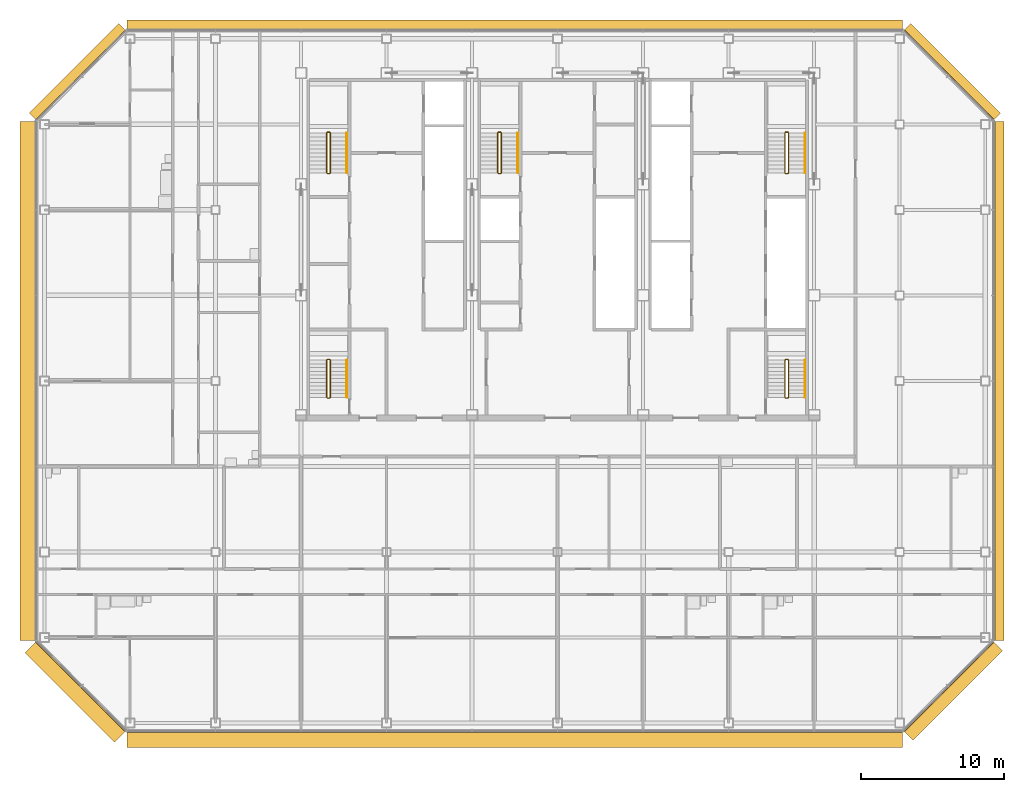
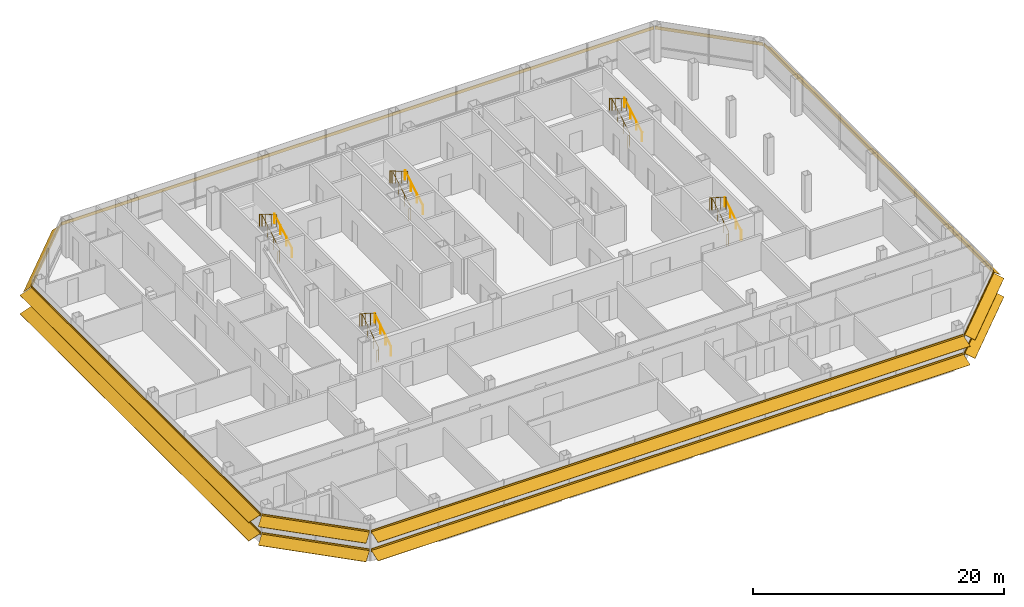
# One storey, part 26 of 27: 10 railings, 8 shading devices.
"""IFC4 building model written with IfcOpenShell, lengths in metres."""

from ifc_helpers import new_model, si_unit, direction, frame, origin, origin_2d, place, context, subcontext, project, spatial, polyline, circle, outline, composite_profile, extrude, material, type_object, element, save


model = new_model("IFC4")

# Units and contexts
model_context = context("Model", 3, precision=1e-05, world=origin(), true_north=direction((0.0, 1.0)))
body_context = subcontext(model_context, "Body", "Model", "MODEL_VIEW")
ifc_project = project(units=[si_unit("LENGTHUNIT", "METRE"), si_unit("AREAUNIT", "SQUARE_METRE"), si_unit("VOLUMEUNIT", "CUBIC_METRE"), si_unit("PLANEANGLEUNIT", "RADIAN"), si_unit("MASSUNIT", "GRAM", prefix="KILO")], contexts=[model_context])

# Site, building, storey
site_placement = place(None, origin())
site = spatial("IfcSite", under=ifc_project, at=site_placement, CompositionType="ELEMENT")
building_placement = place(site_placement, origin())
building = spatial("IfcBuilding", under=site, at=building_placement, Name="Sorahane Residences", CompositionType="ELEMENT")
storey_placement = place(building_placement, frame((0.0, 0.0, 239.60009765625)))
storey = spatial("IfcBuildingStorey", under=building, at=storey_placement, Name="L56", CompositionType="ELEMENT", Elevation=239.60009765625)

# Shading devices
ifc_material_1 = material(Name="Terracotta anodised aluminium", Category="masonry")
shading_device_type_1 = type_object("IfcShadingDeviceType", Name="Louvre sunshade blade E terracotta aluminium 700", PredefinedType="JALOUSIE", material=ifc_material_1)
shading_device_1_placement = place(storey_placement, frame((54.60009765625, 5.801513671875, 2.699951171875), z_axis=(0.0, 1.0, 0.0), x_axis=(-1.0, 0.0, 0.0)))
element("IfcShadingDevice", 1, at=shading_device_1_placement, inside=storey, type_object=shading_device_type_1, Name="Louvre sunshade blade bank E L56 E1", PredefinedType="JALOUSIE", context=body_context, shape_type="SweptSolid", body=[
    extrude(outline(polyline([(-0.719970703125, -0.49365234375), (-0.719970703125, -0.523681640625), (-0.080078125, -0.05859375), (-0.080078125, -0.14990234375), (-0.02001953125, -0.14990234375), (-0.02001953125, -0.014892578125), (-0.02001953125, 0.014892578125), (-0.02001953125, 0.14990234375), (-0.080078125, 0.14990234375), (-0.080078125, -0.028564453125), (-0.719970703125, -0.49365234375)])), origin(), (0.0, 0.0, 1.0), 36.39697265625),
])
ifc_material_2 = material(Name="Terracotta anodised aluminium", Category="masonry")
shading_device_type_2 = type_object("IfcShadingDeviceType", Name="Louvre sunshade blade N terracotta aluminium 700", PredefinedType="JALOUSIE", material=ifc_material_2)
shading_device_2_placement = place(storey_placement, frame((48.198486328125, 48.60009765625, 2.699951171875), z_axis=(-1.0, 0.0, 0.0), x_axis=(0.0, -1.0, 0.0)))
element("IfcShadingDevice", 2, at=shading_device_2_placement, inside=storey, type_object=shading_device_type_2, Name="Louvre sunshade blade bank N L56 N1", PredefinedType="JALOUSIE", context=body_context, shape_type="SweptSolid", body=[
    extrude(outline(polyline([(-0.719970703125, -0.660888671875), (-0.719970703125, -0.69091796875), (-0.080078125, -0.072998046875), (-0.080078125, -0.14990234375), (-0.02001953125, -0.14990234375), (-0.02001953125, -0.014892578125), (-0.02001953125, 0.014892578125), (-0.02001953125, 0.14990234375), (-0.080078125, 0.14990234375), (-0.080078125, -0.04296875), (-0.719970703125, -0.660888671875)])), origin(), (0.0, 0.0, 1.0), 54.39697265625),
])
ifc_material_3 = material(Name="Terracotta anodised aluminium", Category="masonry")
shading_device_type_3 = type_object("IfcShadingDeviceType", Name="Louvre sunshade blade NE terracotta aluminium 700", PredefinedType="JALOUSIE", material=ifc_material_3)
shading_device_3_placement = place(storey_placement, frame((54.564697265625, 42.283935546875, 2.699951171875), z_axis=(-0.707106781187, 0.707106781187, 0.0), x_axis=(-0.707106781187, -0.707106781187, 0.0)))
element("IfcShadingDevice", 3, at=shading_device_3_placement, inside=storey, type_object=shading_device_type_3, Name="Louvre sunshade blade bank NE L56 NE1", PredefinedType="JALOUSIE", context=body_context, shape_type="SweptSolid", body=[
    extrude(outline(polyline([(-0.719970703125, -0.572509765625), (-0.719970703125, -0.602294921875), (-0.080078125, -0.065185546875), (-0.080078125, -0.14990234375), (-0.02001953125, -0.14990234375), (-0.02001953125, -0.014892578125), (-0.02001953125, 0.014892578125), (-0.02001953125, 0.14990234375), (-0.080078125, 0.14990234375), (-0.080078125, -0.035400390625), (-0.719970703125, -0.572509765625)])), origin(), (0.0, 0.0, 1.0), 8.88232421875),
])
ifc_material_4 = material(Name="Terracotta anodised aluminium", Category="masonry")
shading_device_type_4 = type_object("IfcShadingDeviceType", Name="Louvre sunshade blade NW terracotta aluminium 700", PredefinedType="JALOUSIE", material=ifc_material_4)
shading_device_4_placement = place(storey_placement, frame((-6.283935546875, 48.564697265625, 2.699951171875), z_axis=(-0.707106781187, -0.707106781187, 0.0), x_axis=(0.707106781187, -0.707106781187, 0.0)))
element("IfcShadingDevice", 4, at=shading_device_4_placement, inside=storey, type_object=shading_device_type_4, Name="Louvre sunshade blade bank NW L56 NW1", PredefinedType="JALOUSIE", context=body_context, shape_type="SweptSolid", body=[
    extrude(outline(polyline([(-0.719970703125, -0.660888671875), (-0.719970703125, -0.69091796875), (-0.080078125, -0.072998046875), (-0.080078125, -0.14990234375), (-0.02001953125, -0.14990234375), (-0.02001953125, -0.014892578125), (-0.02001953125, 0.014892578125), (-0.02001953125, 0.14990234375), (-0.080078125, 0.14990234375), (-0.080078125, -0.04296875), (-0.719970703125, -0.660888671875)])), origin(), (0.0, 0.0, 1.0), 8.88232421875),
])
ifc_material_5 = material(Name="Terracotta anodised aluminium", Category="masonry")
shading_device_type_5 = type_object("IfcShadingDeviceType", Name="Louvre sunshade blade S terracotta aluminium 1100", PredefinedType="JALOUSIE", material=ifc_material_5)
shading_device_5_placement = place(storey_placement, frame((-6.198486328125, -0.60009765625, 0.89990234375), z_axis=(1.0, 0.0, 0.0), x_axis=(0.0, 1.0, 0.0)))
element("IfcShadingDevice", 5, at=shading_device_5_placement, inside=storey, type_object=shading_device_type_5, Name="Louvre sunshade blade bank S L56 S1", PredefinedType="JALOUSIE", context=body_context, shape_type="SweptSolid", body=[
    extrude(composite_profile([outline(polyline([(-1.1201171875, -0.385498046875), (-1.1201171875, -0.415283203125), (-0.080078125, -0.036865234375), (-0.080078125, -0.14990234375), (-0.02001953125, -0.14990234375), (-0.02001953125, -0.014892578125), (-0.02001953125, 0.014892578125), (-0.02001953125, 0.14990234375), (-0.080078125, 0.14990234375), (-0.080078125, -0.0068359375), (-1.1201171875, -0.385498046875)])), outline(polyline([(-1.1201171875, 1.41455078125), (-1.1201171875, 1.384521484375), (-0.080078125, 1.76318359375), (-0.080078125, 1.64990234375), (-0.02001953125, 1.64990234375), (-0.02001953125, 1.784912109375), (-0.02001953125, 1.81494140625), (-0.02001953125, 1.949951171875), (-0.080078125, 1.949951171875), (-0.080078125, 1.793212890625), (-1.1201171875, 1.41455078125)]))]), origin(), (0.0, 0.0, 1.0), 54.39697265625),
])
ifc_material_6 = material(Name="Terracotta anodised aluminium", Category="masonry")
shading_device_type_6 = type_object("IfcShadingDeviceType", Name="Louvre sunshade blade SE terracotta aluminium 900", PredefinedType="JALOUSIE", material=ifc_material_6)
shading_device_6_placement = place(storey_placement, frame((48.283935546875, -0.564697265625, 0.89990234375), z_axis=(0.707106781187, 0.707106781187, 0.0), x_axis=(-0.707106781187, 0.707106781187, 0.0)))
element("IfcShadingDevice", 6, at=shading_device_6_placement, inside=storey, type_object=shading_device_type_6, Name="Louvre sunshade blade bank SE L56 SE1", PredefinedType="JALOUSIE", context=body_context, shape_type="SweptSolid", body=[
    extrude(composite_profile([outline(polyline([(-0.919921875, -0.3486328125), (-0.919921875, -0.378662109375), (-0.080078125, -0.039306640625), (-0.080078125, -0.14990234375), (-0.02001953125, -0.14990234375), (-0.02001953125, -0.014892578125), (-0.02001953125, 0.014892578125), (-0.02001953125, 0.14990234375), (-0.080078125, 0.14990234375), (-0.080078125, -0.00927734375), (-0.919921875, -0.3486328125)])), outline(polyline([(-0.919921875, 1.451416015625), (-0.919921875, 1.42138671875), (-0.080078125, 1.7607421875), (-0.080078125, 1.64990234375), (-0.02001953125, 1.64990234375), (-0.02001953125, 1.784912109375), (-0.02001953125, 1.81494140625), (-0.02001953125, 1.949951171875), (-0.080078125, 1.949951171875), (-0.080078125, 1.790771484375), (-0.919921875, 1.451416015625)]))]), origin(), (0.0, 0.0, 1.0), 8.88232421875),
])
ifc_material_7 = material(Name="Terracotta anodised aluminium", Category="masonry")
shading_device_type_7 = type_object("IfcShadingDeviceType", Name="Louvre sunshade blade SW terracotta aluminium 1100", PredefinedType="JALOUSIE", material=ifc_material_7)
shading_device_7_placement = place(storey_placement, frame((-12.564697265625, 5.716064453125, 0.89990234375), z_axis=(0.707106781187, -0.707106781187, 0.0), x_axis=(0.707106781187, 0.707106781187, 0.0)))
element("IfcShadingDevice", 7, at=shading_device_7_placement, inside=storey, type_object=shading_device_type_7, Name="Louvre sunshade blade bank SW L56 SW1", PredefinedType="JALOUSIE", context=body_context, shape_type="SweptSolid", body=[
    extrude(composite_profile([outline(polyline([(-1.1201171875, -0.385498046875), (-1.1201171875, -0.415283203125), (-0.080078125, -0.036865234375), (-0.080078125, -0.14990234375), (-0.02001953125, -0.14990234375), (-0.02001953125, -0.014892578125), (-0.02001953125, 0.014892578125), (-0.02001953125, 0.14990234375), (-0.080078125, 0.14990234375), (-0.080078125, -0.0068359375), (-1.1201171875, -0.385498046875)])), outline(polyline([(-1.1201171875, 1.41455078125), (-1.1201171875, 1.384521484375), (-0.080078125, 1.76318359375), (-0.080078125, 1.64990234375), (-0.02001953125, 1.64990234375), (-0.02001953125, 1.784912109375), (-0.02001953125, 1.81494140625), (-0.02001953125, 1.949951171875), (-0.080078125, 1.949951171875), (-0.080078125, 1.793212890625), (-1.1201171875, 1.41455078125)]))]), origin(), (0.0, 0.0, 1.0), 8.88232421875),
])
ifc_material_8 = material(Name="Terracotta anodised aluminium", Category="masonry")
shading_device_type_8 = type_object("IfcShadingDeviceType", Name="Louvre sunshade blade W terracotta aluminium 1100", PredefinedType="JALOUSIE", material=ifc_material_8)
shading_device_8_placement = place(storey_placement, frame((-12.60009765625, 42.198486328125, 0.89990234375), z_axis=(0.0, -1.0, 0.0), x_axis=(1.0, 0.0, 0.0)))
element("IfcShadingDevice", 8, at=shading_device_8_placement, inside=storey, type_object=shading_device_type_8, Name="Louvre sunshade blade bank W L56 W1", PredefinedType="JALOUSIE", context=body_context, shape_type="SweptSolid", body=[
    extrude(composite_profile([outline(polyline([(-1.1201171875, -0.385498046875), (-1.1201171875, -0.415283203125), (-0.080078125, -0.036865234375), (-0.080078125, -0.14990234375), (-0.02001953125, -0.14990234375), (-0.02001953125, -0.014892578125), (-0.02001953125, 0.014892578125), (-0.02001953125, 0.14990234375), (-0.080078125, 0.14990234375), (-0.080078125, -0.0068359375), (-1.1201171875, -0.385498046875)])), outline(polyline([(-1.1201171875, 1.41455078125), (-1.1201171875, 1.384521484375), (-0.080078125, 1.76318359375), (-0.080078125, 1.64990234375), (-0.02001953125, 1.64990234375), (-0.02001953125, 1.784912109375), (-0.02001953125, 1.81494140625), (-0.02001953125, 1.949951171875), (-0.080078125, 1.949951171875), (-0.080078125, 1.793212890625), (-1.1201171875, 1.41455078125)]))]), origin(), (0.0, 0.0, 1.0), 36.39697265625),
])

# Railings
ifc_material_9 = material(Name="Steel Q355B", Category="steel")
railing_type_1 = type_object("IfcRailingType", Name="Stair guard 1200 Steel Q355B", PredefinedType="GUARDRAIL", material=ifc_material_9)
railing_1_placement = place(storey_placement, frame((7.85009765625, 38.550048828125, 0.0)))
element("IfcRailing", 9, at=railing_1_placement, inside=storey, type_object=railing_type_1, Name="L56 S1 stair guard 1", PredefinedType="GUARDRAIL", context=body_context, shape_type="SweptSolid", body=[
    extrude(circle(Radius=0.02392578125, at=origin_2d()), frame((0.0, 0.0, 1.17578125), z_axis=(1.0, 0.0, 0.0), x_axis=(0.0, 1.0, 0.0)), (0.0, 0.0, 1.0), 0.14990234375),
    extrude(circle(Radius=0.02392578125, at=origin_2d()), frame((0.14990234375, 0.0, 1.17578125), z_axis=(0.280808744504, 0.280808744504, 0.917765164963), x_axis=(-0.707106781187, 0.707106781187, 0.0)), (0.0, 0.0, 1.0), 0.17822265625),
    extrude(circle(Radius=0.02392578125, at=origin_2d()), frame((0.199951171875, 0.050048828125, 1.33935546875), z_axis=(0.0, 0.863374499697, 0.504563646405), x_axis=(-1.0, 0.0, 0.0)), (0.0, 0.0, 1.0), 3.242919921875),
    extrude(circle(Radius=0.02392578125, at=origin_2d()), frame((0.199951171875, 2.849853515625, 2.9755859375), z_axis=(-0.707106781187, 0.707106781187, 0.0), x_axis=(-0.707106781187, -0.707106781187, 0.0)), (0.0, 0.0, 1.0), 0.07080078125),
    extrude(circle(Radius=0.02392578125, at=origin_2d()), frame((0.14990234375, 2.89990234375, 2.9755859375), z_axis=(-1.0, 0.0, 0.0), x_axis=(0.0, -1.0, 0.0)), (0.0, 0.0, 1.0), 0.14990234375),
    extrude(circle(Radius=0.02392578125, at=origin_2d()), frame((0.0, 2.89990234375, 2.9755859375), z_axis=(-0.280456126637, -0.280456126637, 0.917980785237), x_axis=(0.707106781187, -0.707106781187, 0.0)), (0.0, 0.0, 1.0), 0.178466796875),
    extrude(circle(Radius=0.02392578125, at=origin_2d()), frame((-0.050048828125, 2.849853515625, 3.1396484375), z_axis=(0.0, -0.863374499697, 0.504563646405), x_axis=(1.0, 0.0, 0.0)), (0.0, 0.0, 1.0), 3.242919921875),
    extrude(circle(Radius=0.02099609375, at=origin_2d()), origin(), (0.0, 0.0, 1.0), 1.15185546875),
    extrude(circle(Radius=0.02099609375, at=origin_2d()), frame((0.14990234375, 0.0, 0.0)), (0.0, 0.0, 1.0), 1.15185546875),
    extrude(circle(Radius=0.02099609375, at=origin_2d()), frame((0.199951171875, 0.050048828125, 0.16357421875)), (0.0, 0.0, 1.0), 1.15185546875),
    extrude(circle(Radius=0.02099609375, at=origin_2d()), frame((0.199951171875, 0.9833984375, 0.708984375)), (0.0, 0.0, 1.0), 1.15185546875),
    extrude(circle(Radius=0.02099609375, at=origin_2d()), frame((0.199951171875, 1.91650390625, 1.25439453125)), (0.0, 0.0, 1.0), 1.15185546875),
    extrude(circle(Radius=0.02099609375, at=origin_2d()), frame((0.199951171875, 2.849853515625, 1.7998046875)), (0.0, 0.0, 1.0), 1.15185546875),
    extrude(circle(Radius=0.02099609375, at=origin_2d()), frame((0.14990234375, 2.89990234375, 1.7998046875)), (0.0, 0.0, 1.0), 1.15185546875),
    extrude(circle(Radius=0.02099609375, at=origin_2d()), frame((0.0, 2.89990234375, 1.7998046875)), (0.0, 0.0, 1.0), 1.15185546875),
    extrude(circle(Radius=0.02099609375, at=origin_2d()), frame((-0.050048828125, 2.849853515625, 1.963623046875)), (0.0, 0.0, 1.0), 1.15185546875),
    extrude(circle(Radius=0.02099609375, at=origin_2d()), frame((-0.050048828125, 1.91650390625, 2.509033203125)), (0.0, 0.0, 1.0), 1.15185546875),
    extrude(circle(Radius=0.02099609375, at=origin_2d()), frame((-0.050048828125, 0.9833984375, 3.054443359375)), (0.0, 0.0, 1.0), 1.15185546875),
    extrude(circle(Radius=0.02099609375, at=origin_2d()), frame((-0.050048828125, 0.050048828125, 3.599853515625)), (0.0, 0.0, 1.0), 1.15185546875),
])
railing_2_placement = place(storey_placement, frame((40.0, 38.550048828125, 0.0)))
element("IfcRailing", 10, at=railing_2_placement, inside=storey, type_object=railing_type_1, Name="L56 S2 stair guard 1", PredefinedType="GUARDRAIL", context=body_context, shape_type="SweptSolid", body=[
    extrude(circle(Radius=0.02392578125, at=origin_2d()), frame((0.0, 0.0, 1.17578125), z_axis=(1.0, 0.0, 0.0), x_axis=(0.0, 1.0, 0.0)), (0.0, 0.0, 1.0), 0.14990234375),
    extrude(circle(Radius=0.02392578125, at=origin_2d()), frame((0.14990234375, 0.0, 1.17578125), z_axis=(0.280808744504, 0.280808744504, 0.917765164963), x_axis=(-0.707106781187, 0.707106781187, 0.0)), (0.0, 0.0, 1.0), 0.17822265625),
    extrude(circle(Radius=0.02392578125, at=origin_2d()), frame((0.199951171875, 0.050048828125, 1.33935546875), z_axis=(0.0, 0.863374499697, 0.504563646405), x_axis=(-1.0, 0.0, 0.0)), (0.0, 0.0, 1.0), 3.242919921875),
    extrude(circle(Radius=0.02392578125, at=origin_2d()), frame((0.199951171875, 2.849853515625, 2.9755859375), z_axis=(-0.707106781187, 0.707106781187, 0.0), x_axis=(-0.707106781187, -0.707106781187, 0.0)), (0.0, 0.0, 1.0), 0.07080078125),
    extrude(circle(Radius=0.02392578125, at=origin_2d()), frame((0.14990234375, 2.89990234375, 2.9755859375), z_axis=(-1.0, 0.0, 0.0), x_axis=(0.0, -1.0, 0.0)), (0.0, 0.0, 1.0), 0.14990234375),
    extrude(circle(Radius=0.02392578125, at=origin_2d()), frame((0.0, 2.89990234375, 2.9755859375), z_axis=(-0.280456126637, -0.280456126637, 0.917980785237), x_axis=(0.707106781187, -0.707106781187, 0.0)), (0.0, 0.0, 1.0), 0.178466796875),
    extrude(circle(Radius=0.02392578125, at=origin_2d()), frame((-0.050048828125, 2.849853515625, 3.1396484375), z_axis=(0.0, -0.863374499697, 0.504563646405), x_axis=(1.0, 0.0, 0.0)), (0.0, 0.0, 1.0), 3.242919921875),
    extrude(circle(Radius=0.02099609375, at=origin_2d()), origin(), (0.0, 0.0, 1.0), 1.15185546875),
    extrude(circle(Radius=0.02099609375, at=origin_2d()), frame((0.14990234375, 0.0, 0.0)), (0.0, 0.0, 1.0), 1.15185546875),
    extrude(circle(Radius=0.02099609375, at=origin_2d()), frame((0.199951171875, 0.050048828125, 0.16357421875)), (0.0, 0.0, 1.0), 1.15185546875),
    extrude(circle(Radius=0.02099609375, at=origin_2d()), frame((0.199951171875, 0.9833984375, 0.708984375)), (0.0, 0.0, 1.0), 1.15185546875),
    extrude(circle(Radius=0.02099609375, at=origin_2d()), frame((0.199951171875, 1.91650390625, 1.25439453125)), (0.0, 0.0, 1.0), 1.15185546875),
    extrude(circle(Radius=0.02099609375, at=origin_2d()), frame((0.199951171875, 2.849853515625, 1.7998046875)), (0.0, 0.0, 1.0), 1.15185546875),
    extrude(circle(Radius=0.02099609375, at=origin_2d()), frame((0.14990234375, 2.89990234375, 1.7998046875)), (0.0, 0.0, 1.0), 1.15185546875),
    extrude(circle(Radius=0.02099609375, at=origin_2d()), frame((0.0, 2.89990234375, 1.7998046875)), (0.0, 0.0, 1.0), 1.15185546875),
    extrude(circle(Radius=0.02099609375, at=origin_2d()), frame((-0.050048828125, 2.849853515625, 1.963623046875)), (0.0, 0.0, 1.0), 1.15185546875),
    extrude(circle(Radius=0.02099609375, at=origin_2d()), frame((-0.050048828125, 1.91650390625, 2.509033203125)), (0.0, 0.0, 1.0), 1.15185546875),
    extrude(circle(Radius=0.02099609375, at=origin_2d()), frame((-0.050048828125, 0.9833984375, 3.054443359375)), (0.0, 0.0, 1.0), 1.15185546875),
    extrude(circle(Radius=0.02099609375, at=origin_2d()), frame((-0.050048828125, 0.050048828125, 3.599853515625)), (0.0, 0.0, 1.0), 1.15185546875),
])
railing_3_placement = place(storey_placement, frame((19.85009765625, 38.550048828125, 0.0)))
element("IfcRailing", 11, at=railing_3_placement, inside=storey, type_object=railing_type_1, Name="L56 S3 stair guard 1", PredefinedType="GUARDRAIL", context=body_context, shape_type="SweptSolid", body=[
    extrude(circle(Radius=0.02392578125, at=origin_2d()), frame((0.0, 0.0, 1.17578125), z_axis=(1.0, 0.0, 0.0), x_axis=(0.0, 1.0, 0.0)), (0.0, 0.0, 1.0), 0.14990234375),
    extrude(circle(Radius=0.02392578125, at=origin_2d()), frame((0.14990234375, 0.0, 1.17578125), z_axis=(0.280808744504, 0.280808744504, 0.917765164963), x_axis=(-0.707106781187, 0.707106781187, 0.0)), (0.0, 0.0, 1.0), 0.17822265625),
    extrude(circle(Radius=0.02392578125, at=origin_2d()), frame((0.199951171875, 0.050048828125, 1.33935546875), z_axis=(0.0, 0.863374499697, 0.504563646405), x_axis=(-1.0, 0.0, 0.0)), (0.0, 0.0, 1.0), 3.242919921875),
    extrude(circle(Radius=0.02392578125, at=origin_2d()), frame((0.199951171875, 2.849853515625, 2.9755859375), z_axis=(-0.707106781187, 0.707106781187, 0.0), x_axis=(-0.707106781187, -0.707106781187, 0.0)), (0.0, 0.0, 1.0), 0.07080078125),
    extrude(circle(Radius=0.02392578125, at=origin_2d()), frame((0.14990234375, 2.89990234375, 2.9755859375), z_axis=(-1.0, 0.0, 0.0), x_axis=(0.0, -1.0, 0.0)), (0.0, 0.0, 1.0), 0.14990234375),
    extrude(circle(Radius=0.02392578125, at=origin_2d()), frame((0.0, 2.89990234375, 2.9755859375), z_axis=(-0.280456126637, -0.280456126637, 0.917980785237), x_axis=(0.707106781187, -0.707106781187, 0.0)), (0.0, 0.0, 1.0), 0.178466796875),
    extrude(circle(Radius=0.02392578125, at=origin_2d()), frame((-0.050048828125, 2.849853515625, 3.1396484375), z_axis=(0.0, -0.863374499697, 0.504563646405), x_axis=(1.0, 0.0, 0.0)), (0.0, 0.0, 1.0), 3.242919921875),
    extrude(circle(Radius=0.02099609375, at=origin_2d()), origin(), (0.0, 0.0, 1.0), 1.15185546875),
    extrude(circle(Radius=0.02099609375, at=origin_2d()), frame((0.14990234375, 0.0, 0.0)), (0.0, 0.0, 1.0), 1.15185546875),
    extrude(circle(Radius=0.02099609375, at=origin_2d()), frame((0.199951171875, 0.050048828125, 0.16357421875)), (0.0, 0.0, 1.0), 1.15185546875),
    extrude(circle(Radius=0.02099609375, at=origin_2d()), frame((0.199951171875, 0.9833984375, 0.708984375)), (0.0, 0.0, 1.0), 1.15185546875),
    extrude(circle(Radius=0.02099609375, at=origin_2d()), frame((0.199951171875, 1.91650390625, 1.25439453125)), (0.0, 0.0, 1.0), 1.15185546875),
    extrude(circle(Radius=0.02099609375, at=origin_2d()), frame((0.199951171875, 2.849853515625, 1.7998046875)), (0.0, 0.0, 1.0), 1.15185546875),
    extrude(circle(Radius=0.02099609375, at=origin_2d()), frame((0.14990234375, 2.89990234375, 1.7998046875)), (0.0, 0.0, 1.0), 1.15185546875),
    extrude(circle(Radius=0.02099609375, at=origin_2d()), frame((0.0, 2.89990234375, 1.7998046875)), (0.0, 0.0, 1.0), 1.15185546875),
    extrude(circle(Radius=0.02099609375, at=origin_2d()), frame((-0.050048828125, 2.849853515625, 1.963623046875)), (0.0, 0.0, 1.0), 1.15185546875),
    extrude(circle(Radius=0.02099609375, at=origin_2d()), frame((-0.050048828125, 1.91650390625, 2.509033203125)), (0.0, 0.0, 1.0), 1.15185546875),
    extrude(circle(Radius=0.02099609375, at=origin_2d()), frame((-0.050048828125, 0.9833984375, 3.054443359375)), (0.0, 0.0, 1.0), 1.15185546875),
    extrude(circle(Radius=0.02099609375, at=origin_2d()), frame((-0.050048828125, 0.050048828125, 3.599853515625)), (0.0, 0.0, 1.0), 1.15185546875),
])
railing_4_placement = place(storey_placement, frame((7.85009765625, 22.800048828125, 0.0)))
element("IfcRailing", 12, at=railing_4_placement, inside=storey, type_object=railing_type_1, Name="L56 S4 stair guard 1", PredefinedType="GUARDRAIL", context=body_context, shape_type="SweptSolid", body=[
    extrude(circle(Radius=0.02392578125, at=origin_2d()), frame((0.0, 0.0, 1.17578125), z_axis=(1.0, 0.0, 0.0), x_axis=(0.0, 1.0, 0.0)), (0.0, 0.0, 1.0), 0.14990234375),
    extrude(circle(Radius=0.02392578125, at=origin_2d()), frame((0.14990234375, 0.0, 1.17578125), z_axis=(0.280808744504, 0.280808744504, 0.917765164963), x_axis=(-0.707106781187, 0.707106781187, 0.0)), (0.0, 0.0, 1.0), 0.17822265625),
    extrude(circle(Radius=0.02392578125, at=origin_2d()), frame((0.199951171875, 0.050048828125, 1.33935546875), z_axis=(0.0, 0.846337672412, 0.532646734952), x_axis=(-1.0, 0.0, 0.0)), (0.0, 0.0, 1.0), 3.07177734375),
    extrude(circle(Radius=0.02392578125, at=origin_2d()), frame((0.199951171875, 2.64990234375, 2.9755859375), z_axis=(-0.707106781187, 0.707106781187, 0.0), x_axis=(-0.707106781187, -0.707106781187, 0.0)), (0.0, 0.0, 1.0), 0.07080078125),
    extrude(circle(Radius=0.02392578125, at=origin_2d()), frame((0.14990234375, 2.699951171875, 2.9755859375), z_axis=(-1.0, 0.0, 0.0), x_axis=(0.0, -1.0, 0.0)), (0.0, 0.0, 1.0), 0.14990234375),
    extrude(circle(Radius=0.02392578125, at=origin_2d()), frame((0.0, 2.699951171875, 2.9755859375), z_axis=(-0.280456126637, -0.280456126637, 0.917980785237), x_axis=(0.707106781187, -0.707106781187, 0.0)), (0.0, 0.0, 1.0), 0.178466796875),
    extrude(circle(Radius=0.02392578125, at=origin_2d()), frame((-0.050048828125, 2.64990234375, 3.1396484375), z_axis=(0.0, -0.846337672412, 0.532646734952), x_axis=(1.0, 0.0, 0.0)), (0.0, 0.0, 1.0), 3.07177734375),
    extrude(circle(Radius=0.02099609375, at=origin_2d()), origin(), (0.0, 0.0, 1.0), 1.15185546875),
    extrude(circle(Radius=0.02099609375, at=origin_2d()), frame((0.14990234375, 0.0, 0.0)), (0.0, 0.0, 1.0), 1.15185546875),
    extrude(circle(Radius=0.02099609375, at=origin_2d()), frame((0.199951171875, 0.050048828125, 0.16357421875)), (0.0, 0.0, 1.0), 1.15185546875),
    extrude(circle(Radius=0.02099609375, at=origin_2d()), frame((0.199951171875, 0.916748046875, 0.708984375)), (0.0, 0.0, 1.0), 1.15185546875),
    extrude(circle(Radius=0.02099609375, at=origin_2d()), frame((0.199951171875, 1.783203125, 1.25439453125)), (0.0, 0.0, 1.0), 1.15185546875),
    extrude(circle(Radius=0.02099609375, at=origin_2d()), frame((0.199951171875, 2.64990234375, 1.7998046875)), (0.0, 0.0, 1.0), 1.15185546875),
    extrude(circle(Radius=0.02099609375, at=origin_2d()), frame((0.14990234375, 2.699951171875, 1.7998046875)), (0.0, 0.0, 1.0), 1.15185546875),
    extrude(circle(Radius=0.02099609375, at=origin_2d()), frame((0.0, 2.699951171875, 1.7998046875)), (0.0, 0.0, 1.0), 1.15185546875),
    extrude(circle(Radius=0.02099609375, at=origin_2d()), frame((-0.050048828125, 2.64990234375, 1.963623046875)), (0.0, 0.0, 1.0), 1.15185546875),
    extrude(circle(Radius=0.02099609375, at=origin_2d()), frame((-0.050048828125, 1.783203125, 2.509033203125)), (0.0, 0.0, 1.0), 1.15185546875),
    extrude(circle(Radius=0.02099609375, at=origin_2d()), frame((-0.050048828125, 0.916748046875, 3.054443359375)), (0.0, 0.0, 1.0), 1.15185546875),
    extrude(circle(Radius=0.02099609375, at=origin_2d()), frame((-0.050048828125, 0.050048828125, 3.599853515625)), (0.0, 0.0, 1.0), 1.15185546875),
])
railing_5_placement = place(storey_placement, frame((40.0, 22.800048828125, 0.0)))
element("IfcRailing", 13, at=railing_5_placement, inside=storey, type_object=railing_type_1, Name="L56 S5 stair guard 1", PredefinedType="GUARDRAIL", context=body_context, shape_type="SweptSolid", body=[
    extrude(circle(Radius=0.02392578125, at=origin_2d()), frame((0.0, 0.0, 1.17578125), z_axis=(1.0, 0.0, 0.0), x_axis=(0.0, 1.0, 0.0)), (0.0, 0.0, 1.0), 0.14990234375),
    extrude(circle(Radius=0.02392578125, at=origin_2d()), frame((0.14990234375, 0.0, 1.17578125), z_axis=(0.280808744504, 0.280808744504, 0.917765164963), x_axis=(-0.707106781187, 0.707106781187, 0.0)), (0.0, 0.0, 1.0), 0.17822265625),
    extrude(circle(Radius=0.02392578125, at=origin_2d()), frame((0.199951171875, 0.050048828125, 1.33935546875), z_axis=(0.0, 0.846337672412, 0.532646734952), x_axis=(-1.0, 0.0, 0.0)), (0.0, 0.0, 1.0), 3.07177734375),
    extrude(circle(Radius=0.02392578125, at=origin_2d()), frame((0.199951171875, 2.64990234375, 2.9755859375), z_axis=(-0.707106781187, 0.707106781187, 0.0), x_axis=(-0.707106781187, -0.707106781187, 0.0)), (0.0, 0.0, 1.0), 0.07080078125),
    extrude(circle(Radius=0.02392578125, at=origin_2d()), frame((0.14990234375, 2.699951171875, 2.9755859375), z_axis=(-1.0, 0.0, 0.0), x_axis=(0.0, -1.0, 0.0)), (0.0, 0.0, 1.0), 0.14990234375),
    extrude(circle(Radius=0.02392578125, at=origin_2d()), frame((0.0, 2.699951171875, 2.9755859375), z_axis=(-0.280456126637, -0.280456126637, 0.917980785237), x_axis=(0.707106781187, -0.707106781187, 0.0)), (0.0, 0.0, 1.0), 0.178466796875),
    extrude(circle(Radius=0.02392578125, at=origin_2d()), frame((-0.050048828125, 2.64990234375, 3.1396484375), z_axis=(0.0, -0.846337672412, 0.532646734952), x_axis=(1.0, 0.0, 0.0)), (0.0, 0.0, 1.0), 3.07177734375),
    extrude(circle(Radius=0.02099609375, at=origin_2d()), origin(), (0.0, 0.0, 1.0), 1.15185546875),
    extrude(circle(Radius=0.02099609375, at=origin_2d()), frame((0.14990234375, 0.0, 0.0)), (0.0, 0.0, 1.0), 1.15185546875),
    extrude(circle(Radius=0.02099609375, at=origin_2d()), frame((0.199951171875, 0.050048828125, 0.16357421875)), (0.0, 0.0, 1.0), 1.15185546875),
    extrude(circle(Radius=0.02099609375, at=origin_2d()), frame((0.199951171875, 0.916748046875, 0.708984375)), (0.0, 0.0, 1.0), 1.15185546875),
    extrude(circle(Radius=0.02099609375, at=origin_2d()), frame((0.199951171875, 1.783203125, 1.25439453125)), (0.0, 0.0, 1.0), 1.15185546875),
    extrude(circle(Radius=0.02099609375, at=origin_2d()), frame((0.199951171875, 2.64990234375, 1.7998046875)), (0.0, 0.0, 1.0), 1.15185546875),
    extrude(circle(Radius=0.02099609375, at=origin_2d()), frame((0.14990234375, 2.699951171875, 1.7998046875)), (0.0, 0.0, 1.0), 1.15185546875),
    extrude(circle(Radius=0.02099609375, at=origin_2d()), frame((0.0, 2.699951171875, 1.7998046875)), (0.0, 0.0, 1.0), 1.15185546875),
    extrude(circle(Radius=0.02099609375, at=origin_2d()), frame((-0.050048828125, 2.64990234375, 1.963623046875)), (0.0, 0.0, 1.0), 1.15185546875),
    extrude(circle(Radius=0.02099609375, at=origin_2d()), frame((-0.050048828125, 1.783203125, 2.509033203125)), (0.0, 0.0, 1.0), 1.15185546875),
    extrude(circle(Radius=0.02099609375, at=origin_2d()), frame((-0.050048828125, 0.916748046875, 3.054443359375)), (0.0, 0.0, 1.0), 1.15185546875),
    extrude(circle(Radius=0.02099609375, at=origin_2d()), frame((-0.050048828125, 0.050048828125, 3.599853515625)), (0.0, 0.0, 1.0), 1.15185546875),
])
ifc_material_10 = material(Name="Steel Q355B", Category="steel")
railing_type_2 = type_object("IfcRailingType", Name="Stair handrail 900 Steel Q355B", PredefinedType="HANDRAIL", material=ifc_material_10)
for number, where, name in (
    (14, (9.199951171875, 38.60009765625, 0.16357421875), "L56 S1 stair handrail 1"),
    (15, (41.35009765625, 38.60009765625, 0.16357421875), "L56 S2 stair handrail 1"),
    (16, (21.199951171875, 38.60009765625, 0.16357421875), "L56 S3 stair handrail 1"),
):
    element("IfcRailing", number, at=place(storey_placement, frame(where)), inside=storey, type_object=railing_type_2, Name=name, PredefinedType="HANDRAIL", context=body_context, shape_type="SweptSolid", body=[
        extrude(circle(Radius=0.02392578125, at=origin_2d()), frame((0.0, 0.0, 0.8759765625), z_axis=(0.0, 0.863374499697, 0.504563646405), x_axis=(-1.0, 0.0, 0.0)), (0.0, 0.0, 1.0), 3.242919921875),
        extrude(circle(Radius=0.02099609375, at=origin_2d()), origin(), (0.0, 0.0, 1.0), 0.851806640625),
        extrude(circle(Radius=0.02099609375, at=origin_2d()), frame((0.0, 0.933349609375, 0.54541015625)), (0.0, 0.0, 1.0), 0.851806640625),
        extrude(circle(Radius=0.02099609375, at=origin_2d()), frame((0.0, 1.866455078125, 1.0908203125)), (0.0, 0.0, 1.0), 0.851806640625),
        extrude(circle(Radius=0.02099609375, at=origin_2d()), frame((0.0, 2.7998046875, 1.63623046875)), (0.0, 0.0, 1.0), 0.851806640625),
    ])
for number, where, name in (
    (17, (9.199951171875, 22.85009765625, 0.16357421875), "L56 S4 stair handrail 1"),
    (18, (41.35009765625, 22.85009765625, 0.16357421875), "L56 S5 stair handrail 1"),
):
    element("IfcRailing", number, at=place(storey_placement, frame(where)), inside=storey, type_object=railing_type_2, Name=name, PredefinedType="HANDRAIL", context=body_context, shape_type="SweptSolid", body=[
        extrude(circle(Radius=0.02392578125, at=origin_2d()), frame((0.0, 0.0, 0.8759765625), z_axis=(0.0, 0.846337672412, 0.532646734952), x_axis=(-1.0, 0.0, 0.0)), (0.0, 0.0, 1.0), 3.07177734375),
        extrude(circle(Radius=0.02099609375, at=origin_2d()), origin(), (0.0, 0.0, 1.0), 0.851806640625),
        extrude(circle(Radius=0.02099609375, at=origin_2d()), frame((0.0, 0.86669921875, 0.54541015625)), (0.0, 0.0, 1.0), 0.851806640625),
        extrude(circle(Radius=0.02099609375, at=origin_2d()), frame((0.0, 1.733154296875, 1.0908203125)), (0.0, 0.0, 1.0), 0.851806640625),
        extrude(circle(Radius=0.02099609375, at=origin_2d()), frame((0.0, 2.599853515625, 1.63623046875)), (0.0, 0.0, 1.0), 0.851806640625),
    ])

save(model, "model.ifc")
